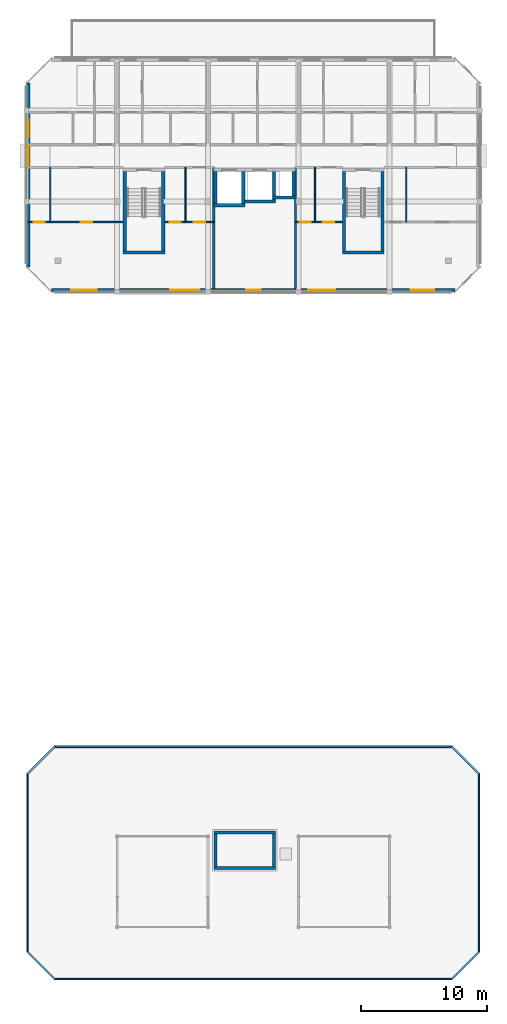
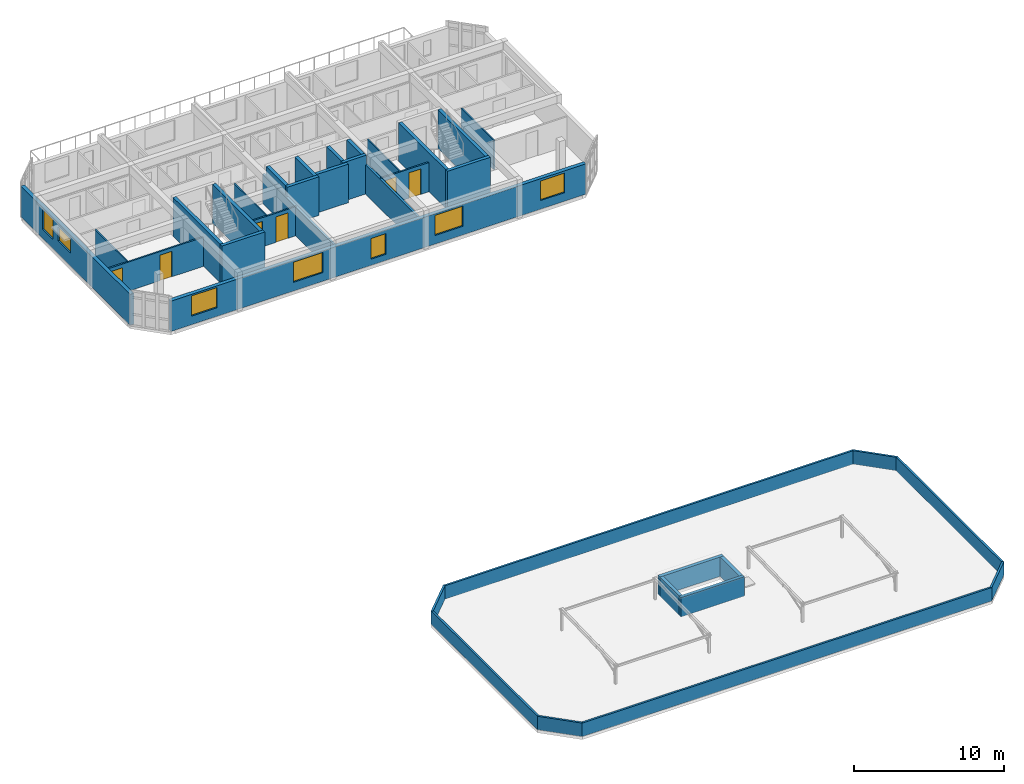
# One storey, part 10 of 16: 36 walls, 7 windows, 6 doors, 13 openings.
"""IFC4 building model written with IfcOpenShell, lengths in metres."""

from ifc_helpers import new_model, si_unit, direction, frame, frame_2d, origin, place, context, subcontext, project, spatial, rectangle, extrude, material, layer, layer_set, type_object, element, fill, save


model = new_model("IFC4")

# Units and contexts
model_context = context("Model", 3, precision=1e-05, world=origin(), true_north=direction((0.0, 1.0)))
body_context = subcontext(model_context, "Body", "Model", "MODEL_VIEW")
ifc_project = project(units=[si_unit("LENGTHUNIT", "METRE"), si_unit("AREAUNIT", "SQUARE_METRE"), si_unit("VOLUMEUNIT", "CUBIC_METRE"), si_unit("PLANEANGLEUNIT", "RADIAN"), si_unit("MASSUNIT", "GRAM", prefix="KILO")], contexts=[model_context])

# Site, building, storey
site_placement = place(None, origin())
site = spatial("IfcSite", under=ifc_project, at=site_placement, CompositionType="ELEMENT")
building_placement = place(site_placement, origin())
building = spatial("IfcBuilding", under=site, at=building_placement, Name="Ochrevale Crest", CompositionType="ELEMENT")
storey_placement = place(building_placement, frame((0.0, 0.0, 46.5)))
storey = spatial("IfcBuildingStorey", under=building, at=storey_placement, Name="L14", CompositionType="ELEMENT", Elevation=46.5)

# Walls
ifc_material_1 = material(Name="Precast concrete C50/60", Category="concrete")
ifc_layer_1 = layer(ifc_material_1, 0.2548828125)
ifc_layer_set_1 = layer_set([ifc_layer_1], Name="Precast concrete C50/60")
wall_type_1 = type_object("IfcWallType", Name="WL-CORE-255", PredefinedType="SHEAR", material=ifc_layer_set_1)
wall_1_placement = place(storey_placement, frame((137.2724609375, 75.14990234375, 0.0), z_axis=(0.0, 0.0, 1.0), x_axis=(1.0, 0.0, 0.0)))
element("IfcWall", 1, at=wall_1_placement, inside=storey, type_object=wall_type_1, Name="Block D L14 Stair 1 precast core shear wall S", PredefinedType="SHEAR", context=body_context, shape_type="SweptSolid", body=[
    extrude(rectangle(XDim=3.304931640625, YDim=0.2548828125, at=frame_2d((1.65234375, 0.0))), origin(), (0.0, 0.0, 1.0), 3.14990234375),
])
for number, where, z_axis, x_axis, name in (
    (2, (137.39990234375, 75.277587890625, 0.0), (0.0, 0.0, 1.0), (0.0, 1.0, 0.0), "Block D L14 Stair 1 precast core shear wall W"),
    (3, (140.449951171875, 75.277587890625, 0.0), (0.0, 0.0, 1.0), (0.0, 1.0, 0.0), "Block D L14 Stair 1 precast core shear wall E"),
):
    element("IfcWall", number, at=place(storey_placement, frame(where, z_axis=z_axis, x_axis=x_axis)), inside=storey, type_object=wall_type_1, Name=name, PredefinedType="SHEAR", context=body_context, shape_type="SweptSolid", body=[
        extrude(rectangle(XDim=6.294921875, YDim=0.2548828125, at=frame_2d((3.1474609375, 0.0))), origin(), (0.0, 0.0, 1.0), 3.14990234375),
    ])
wall_2_placement = place(storey_placement, frame((154.672607421875, 75.14990234375, 0.0), z_axis=(0.0, 0.0, 1.0), x_axis=(1.0, 0.0, 0.0)))
element("IfcWall", 4, at=wall_2_placement, inside=storey, type_object=wall_type_1, Name="Block D L14 Stair 2 precast core shear wall S", PredefinedType="SHEAR", context=body_context, shape_type="SweptSolid", body=[
    extrude(rectangle(XDim=3.304931640625, YDim=0.2548828125, at=frame_2d((1.65234375, 0.0))), origin(), (0.0, 0.0, 1.0), 3.14990234375),
])
for number, where, z_axis, x_axis, name in (
    (5, (154.800048828125, 75.277587890625, 0.0), (0.0, 0.0, 1.0), (0.0, 1.0, 0.0), "Block D L14 Stair 2 precast core shear wall W"),
    (6, (157.85009765625, 75.277587890625, 0.0), (0.0, 0.0, 1.0), (0.0, 1.0, 0.0), "Block D L14 Stair 2 precast core shear wall E"),
):
    element("IfcWall", number, at=place(storey_placement, frame(where, z_axis=z_axis, x_axis=x_axis)), inside=storey, type_object=wall_type_1, Name=name, PredefinedType="SHEAR", context=body_context, shape_type="SweptSolid", body=[
        extrude(rectangle(XDim=6.294921875, YDim=0.2548828125, at=frame_2d((3.1474609375, 0.0))), origin(), (0.0, 0.0, 1.0), 3.14990234375),
    ])
wall_3_placement = place(storey_placement, frame((144.472412109375, 78.89990234375, 0.0), z_axis=(0.0, 0.0, 1.0), x_axis=(1.0, 0.0, 0.0)))
element("IfcWall", 7, at=wall_3_placement, inside=storey, type_object=wall_type_1, Name="Block D L14 Lift 1 precast shaft shear wall S", PredefinedType="SHEAR", context=body_context, shape_type="SweptSolid", body=[
    extrude(rectangle(XDim=2.455078125, YDim=0.2548828125, at=frame_2d((1.2275390625, 0.0))), origin(), (0.0, 0.0, 1.0), 3.14990234375),
])
for number, where, z_axis, x_axis, name in (
    (8, (144.60009765625, 79.027587890625, 0.0), (0.0, 0.0, 1.0), (0.0, 1.0, 0.0), "Block D L14 Lift 1 precast shaft shear wall W"),
    (9, (146.800048828125, 79.027587890625, 0.0), (0.0, 0.0, 1.0), (0.0, 1.0, 0.0), "Block D L14 Lift 1 precast shaft shear wall E"),
):
    element("IfcWall", number, at=place(storey_placement, frame(where, z_axis=z_axis, x_axis=x_axis)), inside=storey, type_object=wall_type_1, Name=name, PredefinedType="SHEAR", context=body_context, shape_type="SweptSolid", body=[
        extrude(rectangle(XDim=2.544921875, YDim=0.2548828125, at=frame_2d((1.2724609375, 0.0))), origin(), (0.0, 0.0, 1.0), 3.14990234375),
    ])
wall_4_placement = place(storey_placement, frame((146.922607421875, 79.199951171875, 0.0), z_axis=(0.0, 0.0, 1.0), x_axis=(1.0, 0.0, 0.0)))
element("IfcWall", 10, at=wall_4_placement, inside=storey, type_object=wall_type_1, Name="Block D L14 Lift 2 precast shaft shear wall S", PredefinedType="SHEAR", context=body_context, shape_type="SweptSolid", body=[
    extrude(rectangle(XDim=2.454833984375, YDim=0.2548828125, at=frame_2d((1.2275390625, 0.0))), origin(), (0.0, 0.0, 1.0), 3.14990234375),
])
wall_5_placement = place(storey_placement, frame((149.25, 79.327392578125, 0.0), z_axis=(0.0, 0.0, 1.0), x_axis=(0.0, 1.0, 0.0)))
element("IfcWall", 11, at=wall_5_placement, inside=storey, type_object=wall_type_1, Name="Block D L14 Lift 2 precast shaft shear wall E", PredefinedType="SHEAR", context=body_context, shape_type="SweptSolid", body=[
    extrude(rectangle(XDim=2.2451171875, YDim=0.2548828125, at=frame_2d((1.12255859375, 0.0))), origin(), (0.0, 0.0, 1.0), 3.14990234375),
])
wall_6_placement = place(storey_placement, frame((149.12255859375, 79.5, 0.0), z_axis=(0.0, 0.0, 1.0), x_axis=(1.0, 0.0, 0.0)))
element("IfcWall", 12, at=wall_6_placement, inside=storey, type_object=wall_type_1, Name="Block D L14 services riser shaft core wall S", PredefinedType="SHEAR", context=body_context, shape_type="SweptSolid", body=[
    extrude(rectangle(XDim=1.804931640625, YDim=0.2548828125, at=frame_2d((0.90234375, 0.0))), origin(), (0.0, 0.0, 1.0), 3.14990234375),
])
wall_7_placement = place(storey_placement, frame((150.800048828125, 79.62744140625, 0.0), z_axis=(0.0, 0.0, 1.0), x_axis=(0.0, 1.0, 0.0)))
element("IfcWall", 13, at=wall_7_placement, inside=storey, type_object=wall_type_1, Name="Block D L14 services riser shaft core wall E", PredefinedType="SHEAR", context=body_context, shape_type="SweptSolid", body=[
    extrude(rectangle(XDim=1.945068359375, YDim=0.2548828125, at=frame_2d((0.97265625, 0.0))), origin(), (0.0, 0.0, 1.0), 3.14990234375),
])
ifc_layer_2 = layer(ifc_material_1, 0.2548828125)
ifc_layer_set_2 = layer_set([ifc_layer_2], Name="Precast concrete C50/60")
wall_type_2 = type_object("IfcWallType", Name="WL-CORE-EXT-255", PredefinedType="SHEAR", material=ifc_layer_set_2)
for number, where, z_axis, x_axis, name in (
    (14, (144.472412109375, 26.300048828125, 0.0), (0.0, 0.0, 1.0), (1.0, 0.0, 0.0), "Block C lift overrun enclosure wall S"),
    (15, (144.472412109375, 29.10009765625, 0.0), (0.0, 0.0, 1.0), (1.0, 0.0, 0.0), "Block C lift overrun enclosure wall N"),
):
    element("IfcWall", number, at=place(storey_placement, frame(where, z_axis=z_axis, x_axis=x_axis)), inside=storey, type_object=wall_type_2, Name=name, PredefinedType="SHEAR", context=body_context, shape_type="SweptSolid", body=[
        extrude(rectangle(XDim=4.905029296875, YDim=0.2548828125, at=frame_2d((2.45263671875, 0.0))), origin(), (0.0, 0.0, 1.0), 1.570068359375),
    ])
for number, where, z_axis, x_axis, name in (
    (16, (144.60009765625, 26.427490234375, 0.0), (0.0, 0.0, 1.0), (0.0, 1.0, 0.0), "Block C lift overrun enclosure wall W"),
    (17, (149.25, 26.427490234375, 0.0), (0.0, 0.0, 1.0), (0.0, 1.0, 0.0), "Block C lift overrun enclosure wall E"),
):
    element("IfcWall", number, at=place(storey_placement, frame(where, z_axis=z_axis, x_axis=x_axis)), inside=storey, type_object=wall_type_2, Name=name, PredefinedType="SHEAR", context=body_context, shape_type="SweptSolid", body=[
        extrude(rectangle(XDim=2.544921875, YDim=0.2548828125, at=frame_2d((1.2724609375, 0.0))), origin(), (0.0, 0.0, 1.0), 1.570068359375),
    ])

# Wall, openings, windows
ifc_material_2 = material(Name="Clay face brickwork", Category="masonry")
ifc_layer_3 = layer(ifc_material_2, 0.2900390625)
ifc_layer_set_3 = layer_set([ifc_layer_3], Name="Clay face brickwork")
wall_type_3 = type_object("IfcWallType", Name="WL-EXT-BRICK-290", PredefinedType="SOLIDWALL", material=ifc_layer_set_3)
wall_8_placement = place(storey_placement, frame((131.60009765625, 72.14501953125, 0.0), z_axis=(0.0, 0.0, 1.0), x_axis=(1.0, 0.0, 0.0)))
wall_8 = element("IfcWall", 18, at=wall_8_placement, inside=storey, type_object=wall_type_3, Name="Block D L14 external facade wall E1", PredefinedType="SOLIDWALL", context=body_context, shape_type="SweptSolid", body=[
    extrude(rectangle(XDim=32.0, YDim=0.2900390625, at=frame_2d((16.0, 0.0))), origin(), (0.0, 0.0, 1.0), 2.47998046875),
])
opening_1_placement = place(wall_8_placement, frame((15.425048828125, 0.0, 0.5)))
opening_1 = element("IfcOpeningElement", 19, at=opening_1_placement, cuts=wall_8, Name="Opening W32", PredefinedType="OPENING", context=body_context, shape_type="SweptSolid", body=[
    extrude(rectangle(XDim=1.14990234375, YDim=1.679931640625, at=frame_2d((0.574951171875, 0.83984375))), frame((0.0, 0.155029296875, 0.0), z_axis=(0.0, -1.0, 0.0), x_axis=(1.0, 0.0, 0.0)), (0.0, 0.0, 1.0), 0.31005859375),
])
opening_2_placement = place(wall_8_placement, frame((28.5048828125, 0.0, 0.699951171875)))
opening_2 = element("IfcOpeningElement", 20, at=opening_2_placement, cuts=wall_8, Name="Opening W11", PredefinedType="OPENING", context=body_context, shape_type="SweptSolid", body=[
    extrude(rectangle(XDim=1.860107421875, YDim=1.60009765625, at=frame_2d((0.93017578125, 0.800048828125))), frame((0.0, 0.155029296875, 0.0), z_axis=(0.0, -1.0, 0.0), x_axis=(1.0, 0.0, 0.0)), (0.0, 0.0, 1.0), 0.31005859375),
])
opening_3_placement = place(wall_8_placement, frame((1.56494140625, 0.0, 0.699951171875)))
opening_3 = element("IfcOpeningElement", 21, at=opening_3_placement, cuts=wall_8, Name="Opening W12", PredefinedType="OPENING", context=body_context, shape_type="SweptSolid", body=[
    extrude(rectangle(XDim=2.0, YDim=1.64990234375, at=frame_2d((1.0, 0.824951171875))), frame((0.0, 0.155029296875, 0.0), z_axis=(0.0, -1.0, 0.0), x_axis=(1.0, 0.0, 0.0)), (0.0, 0.0, 1.0), 0.31005859375),
])
opening_4_placement = place(wall_8_placement, frame((20.3701171875, 0.0, 0.699951171875)))
opening_4 = element("IfcOpeningElement", 22, at=opening_4_placement, cuts=wall_8, Name="Opening W13", PredefinedType="OPENING", context=body_context, shape_type="SweptSolid", body=[
    extrude(rectangle(XDim=2.14990234375, YDim=1.64990234375, at=frame_2d((1.074951171875, 0.824951171875))), frame((0.0, 0.155029296875, 0.0), z_axis=(0.0, -1.0, 0.0), x_axis=(1.0, 0.0, 0.0)), (0.0, 0.0, 1.0), 0.31005859375),
])
opening_5_placement = place(wall_8_placement, frame((9.429931640625, 0.0, 0.699951171875)))
opening_5 = element("IfcOpeningElement", 23, at=opening_5_placement, cuts=wall_8, Name="Opening W14", PredefinedType="OPENING", context=body_context, shape_type="SweptSolid", body=[
    extrude(rectangle(XDim=2.300048828125, YDim=1.64990234375, at=frame_2d((1.14990234375, 0.824951171875))), frame((0.0, 0.155029296875, 0.0), z_axis=(0.0, -1.0, 0.0), x_axis=(1.0, 0.0, 0.0)), (0.0, 0.0, 1.0), 0.31005859375),
])
ifc_material_3 = material(Name="Anodised aluminium 6063-T5 and low-E double glazing", Category="aluminium")
window_type_1 = type_object("IfcWindowType", Name="WIN-W11", PartitioningType="SINGLE_PANEL", PredefinedType="WINDOW", material=ifc_material_3)
window_1_placement = place(opening_2_placement, origin())
window_1 = element("IfcWindow", 24, at=window_1_placement, inside=storey, type_object=window_type_1, Name="Block D L14 Suite D-L14-CE Master Bedroom window", OverallHeight=1.60009765625, OverallWidth=1.860107421875, PartitioningType="SINGLE_PANEL", PredefinedType="WINDOW", context=body_context, shape_type="SweptSolid", body=[
    extrude(rectangle(XDim=1.860107421875, YDim=1.60009765625, at=frame_2d((0.93017578125, 0.800048828125))), frame((0.0, 0.030029296875, 0.0), z_axis=(0.0, -1.0, 0.0), x_axis=(1.0, 0.0, 0.0)), (0.0, 0.0, 1.0), 0.06005859375),
])
fill(opening_2, window_1)
window_type_2 = type_object("IfcWindowType", Name="WIN-W12", PartitioningType="SINGLE_PANEL", PredefinedType="WINDOW", material=ifc_material_3)
window_2_placement = place(opening_3_placement, origin())
window_2 = element("IfcWindow", 25, at=window_2_placement, inside=storey, type_object=window_type_2, Name="Block D L14 Suite D-L14-CW Garden Alcove Studio window", OverallHeight=1.64990234375, OverallWidth=2.0, PartitioningType="SINGLE_PANEL", PredefinedType="WINDOW", context=body_context, shape_type="SweptSolid", body=[
    extrude(rectangle(XDim=2.0, YDim=1.64990234375, at=frame_2d((1.0, 0.824951171875))), frame((0.0, 0.030029296875, 0.0), z_axis=(0.0, -1.0, 0.0), x_axis=(1.0, 0.0, 0.0)), (0.0, 0.0, 1.0), 0.06005859375),
])
fill(opening_3, window_2)
window_type_3 = type_object("IfcWindowType", Name="WIN-W13", PartitioningType="SINGLE_PANEL", PredefinedType="WINDOW", material=ifc_material_3)
window_3_placement = place(opening_4_placement, origin())
window_3 = element("IfcWindow", 26, at=window_3_placement, inside=storey, type_object=window_type_3, Name="Block D L14 Suite D-L14-ME Garden Alcove Studio window", OverallHeight=1.64990234375, OverallWidth=2.14990234375, PartitioningType="SINGLE_PANEL", PredefinedType="WINDOW", context=body_context, shape_type="SweptSolid", body=[
    extrude(rectangle(XDim=2.14990234375, YDim=1.64990234375, at=frame_2d((1.074951171875, 0.824951171875))), frame((0.0, 0.030029296875, 0.0), z_axis=(0.0, -1.0, 0.0), x_axis=(1.0, 0.0, 0.0)), (0.0, 0.0, 1.0), 0.06005859375),
])
fill(opening_4, window_3)
window_type_4 = type_object("IfcWindowType", Name="WIN-W14", PartitioningType="SINGLE_PANEL", PredefinedType="WINDOW", material=ifc_material_3)
window_4_placement = place(opening_5_placement, origin())
window_4 = element("IfcWindow", 27, at=window_4_placement, inside=storey, type_object=window_type_4, Name="Block D L14 Suite D-L14-MW Courtyard Studio Living window", OverallHeight=1.64990234375, OverallWidth=2.300048828125, PartitioningType="SINGLE_PANEL", PredefinedType="WINDOW", context=body_context, shape_type="SweptSolid", body=[
    extrude(rectangle(XDim=2.300048828125, YDim=1.64990234375, at=frame_2d((1.14990234375, 0.824951171875))), frame((0.0, 0.030029296875, 0.0), z_axis=(0.0, -1.0, 0.0), x_axis=(1.0, 0.0, 0.0)), (0.0, 0.0, 1.0), 0.06005859375),
])
fill(opening_5, window_4)
window_type_5 = type_object("IfcWindowType", Name="WIN-W32", PartitioningType="SINGLE_PANEL", PredefinedType="WINDOW", material=ifc_material_3)
window_5_placement = place(opening_1_placement, origin())
window_5 = element("IfcWindow", 28, at=window_5_placement, inside=storey, type_object=window_type_5, Name="Block D L14 core lancet window", OverallHeight=1.679931640625, OverallWidth=1.14990234375, PartitioningType="SINGLE_PANEL", PredefinedType="WINDOW", context=body_context, shape_type="SweptSolid", body=[
    extrude(rectangle(XDim=1.14990234375, YDim=1.679931640625, at=frame_2d((0.574951171875, 0.83984375))), frame((0.0, 0.030029296875, 0.0), z_axis=(0.0, -1.0, 0.0), x_axis=(1.0, 0.0, 0.0)), (0.0, 0.0, 1.0), 0.06005859375),
])
fill(opening_1, window_5)

wall_9_placement = place(storey_placement, frame((129.7451171875, 88.60009765625, 0.0), z_axis=(0.0, 0.0, 1.0), x_axis=(0.0, -1.0, 0.0)))
wall_9 = element("IfcWall", 29, at=wall_9_placement, inside=storey, type_object=wall_type_3, Name="Block D L14 external facade wall E7", PredefinedType="SOLIDWALL", context=body_context, shape_type="SweptSolid", body=[
    extrude(rectangle(XDim=14.60009765625, YDim=0.2900390625, at=frame_2d((7.300048828125, 0.0))), origin(), (0.0, 0.0, 1.0), 2.510009765625),
])
opening_6_placement = place(wall_9_placement, frame((4.97509765625, 0.0, 1.050048828125)))
opening_6 = element("IfcOpeningElement", 30, at=opening_6_placement, cuts=wall_9, Name="Opening W19", PredefinedType="OPENING", context=body_context, shape_type="SweptSolid", body=[
    extrude(rectangle(XDim=1.64990234375, YDim=1.14990234375, at=frame_2d((0.824951171875, 0.574951171875))), frame((0.0, 0.155029296875, 0.0), z_axis=(0.0, -1.0, 0.0), x_axis=(1.0, 0.0, 0.0)), (0.0, 0.0, 1.0), 0.31005859375),
])
opening_7_placement = place(wall_9_placement, frame((2.905029296875, 0.0, 0.75)))
opening_7 = element("IfcOpeningElement", 31, at=opening_7_placement, cuts=wall_9, Name="Opening W31", PredefinedType="OPENING", context=body_context, shape_type="SweptSolid", body=[
    extrude(rectangle(XDim=1.419921875, YDim=1.60009765625, at=frame_2d((0.7099609375, 0.800048828125))), frame((0.0, 0.155029296875, 0.0), z_axis=(0.0, -1.0, 0.0), x_axis=(1.0, 0.0, 0.0)), (0.0, 0.0, 1.0), 0.31005859375),
])
window_type_6 = type_object("IfcWindowType", Name="WIN-W19", PartitioningType="SINGLE_PANEL", PredefinedType="WINDOW", material=ifc_material_3)
window_6_placement = place(opening_6_placement, origin())
window_6 = element("IfcWindow", 32, at=window_6_placement, inside=storey, type_object=window_type_6, Name="Block D L14 corridor end daylight window W", OverallHeight=1.14990234375, OverallWidth=1.64990234375, PartitioningType="SINGLE_PANEL", PredefinedType="WINDOW", context=body_context, shape_type="SweptSolid", body=[
    extrude(rectangle(XDim=1.64990234375, YDim=1.14990234375, at=frame_2d((0.824951171875, 0.574951171875))), frame((0.0, 0.030029296875, 0.0), z_axis=(0.0, -1.0, 0.0), x_axis=(1.0, 0.0, 0.0)), (0.0, 0.0, 1.0), 0.06005859375),
])
fill(opening_6, window_6)
window_type_7 = type_object("IfcWindowType", Name="WIN-W31", PartitioningType="SINGLE_PANEL", PredefinedType="WINDOW", material=ifc_material_3)
window_7_placement = place(opening_7_placement, origin())
window_7 = element("IfcWindow", 33, at=window_7_placement, inside=storey, type_object=window_type_7, Name="Block D L14 side suite window W", OverallHeight=1.60009765625, OverallWidth=1.419921875, PartitioningType="SINGLE_PANEL", PredefinedType="WINDOW", context=body_context, shape_type="SweptSolid", body=[
    extrude(rectangle(XDim=1.419921875, YDim=1.60009765625, at=frame_2d((0.7099609375, 0.800048828125))), frame((0.0, 0.030029296875, 0.0), z_axis=(0.0, -1.0, 0.0), x_axis=(1.0, 0.0, 0.0)), (0.0, 0.0, 1.0), 0.06005859375),
])
fill(opening_7, window_7)

# Walls
ifc_material_4 = material(Name="Precast concrete C40/50", Category="concrete")
ifc_layer_4 = layer(ifc_material_4, 0.14990234375)
ifc_layer_set_4 = layer_set([ifc_layer_4], Name="Precast concrete C40/50")
wall_type_4 = type_object("IfcWallType", Name="WL-PARAPET-150", PredefinedType="PARAPET", material=ifc_layer_set_4)
wall_10_placement = place(storey_placement, frame((131.800048828125, 17.47998046875, 0.0), z_axis=(0.0, 0.0, 1.0), x_axis=(1.0, 0.0, 0.0)))
element("IfcWall", 34, at=wall_10_placement, inside=storey, type_object=wall_type_4, Name="Block C rooftop perimeter parapet wall 1", PredefinedType="PARAPET", context=body_context, shape_type="SweptSolid", body=[
    extrude(rectangle(XDim=31.599853515625, YDim=0.14990234375, at=frame_2d((15.7998046875, 0.0))), origin(), (0.0, 0.0, 1.0), 1.10009765625),
])
wall_11_placement = place(storey_placement, frame((163.343505859375, 17.45654296875, 0.0), z_axis=(0.0, 0.0, 1.0), x_axis=(0.707106781187, 0.707106781187, 0.0)))
element("IfcWall", 35, at=wall_11_placement, inside=storey, type_object=wall_type_4, Name="Block C rooftop perimeter parapet wall 2", PredefinedType="PARAPET", context=body_context, shape_type="SweptSolid", body=[
    extrude(rectangle(XDim=3.111083984375, YDim=0.14990234375, at=frame_2d((1.5556640625, 0.0))), origin(), (0.0, 0.0, 1.0), 1.10009765625),
])
wall_12_placement = place(storey_placement, frame((165.52001953125, 19.60009765625, 0.0), z_axis=(0.0, 0.0, 1.0), x_axis=(0.0, 1.0, 0.0)))
element("IfcWall", 36, at=wall_12_placement, inside=storey, type_object=wall_type_4, Name="Block C rooftop perimeter parapet wall 3", PredefinedType="PARAPET", context=body_context, shape_type="SweptSolid", body=[
    extrude(rectangle(XDim=14.199951171875, YDim=0.14990234375, at=frame_2d((7.10009765625, 0.0))), origin(), (0.0, 0.0, 1.0), 1.10009765625),
])
wall_13_placement = place(storey_placement, frame((165.54345703125, 33.743408203125, 0.0), z_axis=(0.0, 0.0, 1.0), x_axis=(-0.707106781187, 0.707106781187, 0.0)))
element("IfcWall", 37, at=wall_13_placement, inside=storey, type_object=wall_type_4, Name="Block C rooftop perimeter parapet wall 4", PredefinedType="PARAPET", context=body_context, shape_type="SweptSolid", body=[
    extrude(rectangle(XDim=3.111083984375, YDim=0.14990234375, at=frame_2d((1.5556640625, 0.0))), origin(), (0.0, 0.0, 1.0), 1.10009765625),
])
wall_14_placement = place(storey_placement, frame((163.39990234375, 35.919921875, 0.0), z_axis=(0.0, 0.0, 1.0), x_axis=(-1.0, 0.0, 0.0)))
element("IfcWall", 38, at=wall_14_placement, inside=storey, type_object=wall_type_4, Name="Block C rooftop perimeter parapet wall 5", PredefinedType="PARAPET", context=body_context, shape_type="SweptSolid", body=[
    extrude(rectangle(XDim=31.599853515625, YDim=0.14990234375, at=frame_2d((15.7998046875, 0.0))), origin(), (0.0, 0.0, 1.0), 1.10009765625),
])
wall_15_placement = place(storey_placement, frame((131.856689453125, 35.943359375, 0.0), z_axis=(0.0, 0.0, 1.0), x_axis=(-0.707146013676, -0.70706754652, 0.0)))
element("IfcWall", 39, at=wall_15_placement, inside=storey, type_object=wall_type_4, Name="Block C rooftop perimeter parapet wall 6", PredefinedType="PARAPET", context=body_context, shape_type="SweptSolid", body=[
    extrude(rectangle(XDim=3.111328125, YDim=0.14990234375, at=frame_2d((1.5556640625, 0.0))), origin(), (0.0, 0.0, 1.0), 1.10009765625),
])
wall_16_placement = place(storey_placement, frame((129.679931640625, 33.800048828125, 0.0), z_axis=(0.0, 0.0, 1.0), x_axis=(0.0, -1.0, 0.0)))
element("IfcWall", 40, at=wall_16_placement, inside=storey, type_object=wall_type_4, Name="Block C rooftop perimeter parapet wall 7", PredefinedType="PARAPET", context=body_context, shape_type="SweptSolid", body=[
    extrude(rectangle(XDim=14.199951171875, YDim=0.14990234375, at=frame_2d((7.10009765625, 0.0))), origin(), (0.0, 0.0, 1.0), 1.10009765625),
])
wall_17_placement = place(storey_placement, frame((129.656494140625, 19.656494140625, 0.0), z_axis=(0.0, 0.0, 1.0), x_axis=(0.707146013676, -0.70706754652, 0.0)))
element("IfcWall", 41, at=wall_17_placement, inside=storey, type_object=wall_type_4, Name="Block C rooftop perimeter parapet wall 8", PredefinedType="PARAPET", context=body_context, shape_type="SweptSolid", body=[
    extrude(rectangle(XDim=3.111328125, YDim=0.14990234375, at=frame_2d((1.5556640625, 0.0))), origin(), (0.0, 0.0, 1.0), 1.10009765625),
])

# Wall, openings, doors
ifc_material_5 = material(Name="Gypsum plasterboard", Category="gypsum")
ifc_layer_5 = layer(ifc_material_5, 0.1201171875)
ifc_layer_set_5 = layer_set([ifc_layer_5], Name="Gypsum plasterboard")
wall_type_5 = type_object("IfcWallType", Name="WL-PART-120", PredefinedType="PARTITIONING", material=ifc_layer_set_5)
wall_18_placement = place(storey_placement, frame((129.739990234375, 77.550048828125, 0.0), z_axis=(0.0, 0.0, 1.0), x_axis=(1.0, 0.0, 0.0)))
wall_18 = element("IfcWall", 42, at=wall_18_placement, inside=storey, type_object=wall_type_5, Name="Suite D-L14-CW internal wall", PredefinedType="PARTITIONING", context=body_context, shape_type="SweptSolid", body=[
    extrude(rectangle(XDim=7.52001953125, YDim=0.1201171875, at=frame_2d((3.760009765625, 0.0))), origin(), (0.0, 0.0, 1.0), 2.3798828125),
])
opening_8_placement = place(wall_18_placement, frame((1.300048828125, 0.0, 0.0), z_axis=(0.0, 0.0, 1.0), x_axis=(-1.0, 0.0, 0.0)))
opening_8 = element("IfcOpeningElement", 43, at=opening_8_placement, cuts=wall_18, Name="Opening ID01", PredefinedType="OPENING", context=body_context, shape_type="SweptSolid", body=[
    extrude(rectangle(XDim=0.85009765625, YDim=2.080078125, at=frame_2d((0.425048828125, 1.0400390625))), frame((0.0, 0.070068359375, 0.0), z_axis=(0.0, -1.0, 0.0), x_axis=(1.0, 0.0, 0.0)), (0.0, 0.0, 1.0), 0.14013671875),
])
opening_9_placement = place(wall_18_placement, frame((4.175048828125, 0.0, 0.0)))
opening_9 = element("IfcOpeningElement", 44, at=opening_9_placement, cuts=wall_18, Name="Opening ID04", PredefinedType="OPENING", context=body_context, shape_type="SweptSolid", body=[
    extrude(rectangle(XDim=0.919921875, YDim=2.080078125, at=frame_2d((0.4599609375, 1.0400390625))), frame((0.0, 0.070068359375, 0.0), z_axis=(0.0, -1.0, 0.0), x_axis=(1.0, 0.0, 0.0)), (0.0, 0.0, 1.0), 0.14013671875),
])
ifc_material_6 = material(Name="Solid-core FSC hardwood", Category="wood")
door_type_1 = type_object("IfcDoorType", Name="DR-INT-920", OperationType="NOTDEFINED", PredefinedType="DOOR", material=ifc_material_6)
door_1_placement = place(opening_9_placement, origin())
door_1 = element("IfcDoor", 45, at=door_1_placement, inside=storey, type_object=door_type_1, Name="Suite D-L14-CW Garden Alcove Studio door", OperationType="SINGLE_SWING_LEFT", OverallHeight=2.080078125, OverallWidth=0.919921875, PredefinedType="DOOR", context=body_context, shape_type="SweptSolid", body=[
    extrude(rectangle(XDim=0.919921875, YDim=2.080078125, at=frame_2d((0.4599609375, 1.0400390625))), frame((0.0, 0.02490234375, 0.0), z_axis=(0.0, -1.0, 0.0), x_axis=(1.0, 0.0, 0.0)), (0.0, 0.0, 1.0), 0.050048828125),
])
fill(opening_9, door_1)
door_type_2 = type_object("IfcDoorType", Name="DR-WC-850", OperationType="NOTDEFINED", PredefinedType="DOOR", material=ifc_material_6)
door_2_placement = place(opening_8_placement, origin())
door_2 = element("IfcDoor", 46, at=door_2_placement, inside=storey, type_object=door_type_2, Name="Suite D-L14-CW Bathroom door", OperationType="SINGLE_SWING_RIGHT", OverallHeight=2.080078125, OverallWidth=0.85009765625, PredefinedType="DOOR", context=body_context, shape_type="SweptSolid", body=[
    extrude(rectangle(XDim=0.85009765625, YDim=2.080078125, at=frame_2d((0.425048828125, 1.0400390625))), frame((0.0, 0.02490234375, 0.0), z_axis=(0.0, -1.0, 0.0), x_axis=(1.0, 0.0, 0.0)), (0.0, 0.0, 1.0), 0.050048828125),
])
fill(opening_8, door_2)

wall_19_placement = place(storey_placement, frame((140.590087890625, 77.550048828125, 0.0), z_axis=(0.0, 0.0, 1.0), x_axis=(1.0, 0.0, 0.0)))
wall_19 = element("IfcWall", 47, at=wall_19_placement, inside=storey, type_object=wall_type_5, Name="Suite D-L14-MW internal wall", PredefinedType="PARTITIONING", context=body_context, shape_type="SweptSolid", body=[
    extrude(rectangle(XDim=3.869873046875, YDim=0.1201171875, at=frame_2d((1.93505859375, 0.0))), origin(), (0.0, 0.0, 1.0), 2.3798828125),
])
opening_10_placement = place(wall_19_placement, frame((0.3876953125, 0.0, 0.0)))
opening_10 = element("IfcOpeningElement", 48, at=opening_10_placement, cuts=wall_19, Name="Opening ID01", PredefinedType="OPENING", context=body_context, shape_type="SweptSolid", body=[
    extrude(rectangle(XDim=0.85009765625, YDim=2.080078125, at=frame_2d((0.425048828125, 1.0400390625))), frame((0.0, 0.070068359375, 0.0), z_axis=(0.0, -1.0, 0.0), x_axis=(1.0, 0.0, 0.0)), (0.0, 0.0, 1.0), 0.14013671875),
])
opening_11_placement = place(wall_19_placement, frame((3.20751953125, 0.0, 0.0), z_axis=(0.0, 0.0, 1.0), x_axis=(-1.0, 0.0, 0.0)))
opening_11 = element("IfcOpeningElement", 49, at=opening_11_placement, cuts=wall_19, Name="Opening ID04", PredefinedType="OPENING", context=body_context, shape_type="SweptSolid", body=[
    extrude(rectangle(XDim=0.919921875, YDim=2.080078125, at=frame_2d((0.4599609375, 1.0400390625))), frame((0.0, 0.070068359375, 0.0), z_axis=(0.0, -1.0, 0.0), x_axis=(1.0, 0.0, 0.0)), (0.0, 0.0, 1.0), 0.14013671875),
])
door_3_placement = place(opening_11_placement, origin())
door_3 = element("IfcDoor", 50, at=door_3_placement, inside=storey, type_object=door_type_1, Name="Suite D-L14-MW Courtyard Studio Living door", OperationType="SINGLE_SWING_RIGHT", OverallHeight=2.080078125, OverallWidth=0.919921875, PredefinedType="DOOR", context=body_context, shape_type="SweptSolid", body=[
    extrude(rectangle(XDim=0.919921875, YDim=2.080078125, at=frame_2d((0.4599609375, 1.0400390625))), frame((0.0, 0.02490234375, 0.0), z_axis=(0.0, -1.0, 0.0), x_axis=(1.0, 0.0, 0.0)), (0.0, 0.0, 1.0), 0.050048828125),
])
fill(opening_11, door_3)
door_4_placement = place(opening_10_placement, origin())
door_4 = element("IfcDoor", 51, at=door_4_placement, inside=storey, type_object=door_type_2, Name="Suite D-L14-MW Bathroom door", OperationType="SINGLE_SWING_LEFT", OverallHeight=2.080078125, OverallWidth=0.85009765625, PredefinedType="DOOR", context=body_context, shape_type="SweptSolid", body=[
    extrude(rectangle(XDim=0.85009765625, YDim=2.080078125, at=frame_2d((0.425048828125, 1.0400390625))), frame((0.0, 0.02490234375, 0.0), z_axis=(0.0, -1.0, 0.0), x_axis=(1.0, 0.0, 0.0)), (0.0, 0.0, 1.0), 0.050048828125),
])
fill(opening_10, door_4)

wall_20_placement = place(storey_placement, frame((150.93994140625, 77.550048828125, 0.0), z_axis=(0.0, 0.0, 1.0), x_axis=(1.0, 0.0, 0.0)))
wall_20 = element("IfcWall", 52, at=wall_20_placement, inside=storey, type_object=wall_type_5, Name="Suite D-L14-ME internal wall", PredefinedType="PARTITIONING", context=body_context, shape_type="SweptSolid", body=[
    extrude(rectangle(XDim=3.719970703125, YDim=0.1201171875, at=frame_2d((1.85986328125, 0.0))), origin(), (0.0, 0.0, 1.0), 2.3798828125),
])
opening_12_placement = place(wall_20_placement, frame((1.206298828125, 0.0, 0.0), z_axis=(0.0, 0.0, 1.0), x_axis=(-1.0, 0.0, 0.0)))
opening_12 = element("IfcOpeningElement", 53, at=opening_12_placement, cuts=wall_20, Name="Opening ID01", PredefinedType="OPENING", context=body_context, shape_type="SweptSolid", body=[
    extrude(rectangle(XDim=0.85009765625, YDim=2.080078125, at=frame_2d((0.425048828125, 1.0400390625))), frame((0.0, 0.070068359375, 0.0), z_axis=(0.0, -1.0, 0.0), x_axis=(1.0, 0.0, 0.0)), (0.0, 0.0, 1.0), 0.14013671875),
])
opening_13_placement = place(wall_20_placement, frame((2.18115234375, 0.0, 0.0)))
opening_13 = element("IfcOpeningElement", 54, at=opening_13_placement, cuts=wall_20, Name="Opening ID04", PredefinedType="OPENING", context=body_context, shape_type="SweptSolid", body=[
    extrude(rectangle(XDim=0.919921875, YDim=2.080078125, at=frame_2d((0.4599609375, 1.0400390625))), frame((0.0, 0.070068359375, 0.0), z_axis=(0.0, -1.0, 0.0), x_axis=(1.0, 0.0, 0.0)), (0.0, 0.0, 1.0), 0.14013671875),
])
door_5_placement = place(opening_13_placement, origin())
door_5 = element("IfcDoor", 55, at=door_5_placement, inside=storey, type_object=door_type_1, Name="Suite D-L14-ME Garden Alcove Studio door", OperationType="SINGLE_SWING_LEFT", OverallHeight=2.080078125, OverallWidth=0.919921875, PredefinedType="DOOR", context=body_context, shape_type="SweptSolid", body=[
    extrude(rectangle(XDim=0.919921875, YDim=2.080078125, at=frame_2d((0.4599609375, 1.0400390625))), frame((0.0, 0.02490234375, 0.0), z_axis=(0.0, -1.0, 0.0), x_axis=(1.0, 0.0, 0.0)), (0.0, 0.0, 1.0), 0.050048828125),
])
fill(opening_13, door_5)
door_6_placement = place(opening_12_placement, origin())
door_6 = element("IfcDoor", 56, at=door_6_placement, inside=storey, type_object=door_type_2, Name="Suite D-L14-ME Bathroom door", OperationType="SINGLE_SWING_RIGHT", OverallHeight=2.080078125, OverallWidth=0.85009765625, PredefinedType="DOOR", context=body_context, shape_type="SweptSolid", body=[
    extrude(rectangle(XDim=0.85009765625, YDim=2.080078125, at=frame_2d((0.425048828125, 1.0400390625))), frame((0.0, 0.02490234375, 0.0), z_axis=(0.0, -1.0, 0.0), x_axis=(1.0, 0.0, 0.0)), (0.0, 0.0, 1.0), 0.050048828125),
])
fill(opening_12, door_6)

# Walls
ifc_layer_6 = layer(ifc_material_5, 0.169921875)
ifc_layer_set_6 = layer_set([ifc_layer_6], Name="Gypsum plasterboard")
wall_type_6 = type_object("IfcWallType", Name="WL-TEN-170", PredefinedType="PARTITIONING", material=ifc_layer_set_6)
for number, where, z_axis, x_axis, name in (
    (57, (144.4599609375, 72.300048828125, 0.0), (0.0, 0.0, 1.0), (0.0, 1.0, 0.0), "Suite D-L14-MW east party wall"),
    (58, (150.93994140625, 72.300048828125, 0.0), (0.0, 0.0, 1.0), (0.0, 1.0, 0.0), "Suite D-L14-ME west party wall"),
):
    element("IfcWall", number, at=place(storey_placement, frame(where, z_axis=z_axis, x_axis=x_axis)), inside=storey, type_object=wall_type_6, Name=name, PredefinedType="PARTITIONING", context=body_context, shape_type="SweptSolid", body=[
        extrude(rectangle(XDim=9.599853515625, YDim=0.169921875, at=frame_2d((4.7998046875, 0.0))), origin(), (0.0, 0.0, 1.0), 2.3798828125),
    ])
ifc_layer_7 = layer(ifc_material_5, 0.10009765625)
ifc_layer_set_7 = layer_set([ifc_layer_7], Name="Gypsum plasterboard")
wall_type_7 = type_object("IfcWallType", Name="WL-WET-100", PredefinedType="PARTITIONING", material=ifc_layer_set_7)
for number, where, z_axis, x_axis, name in (
    (59, (131.489990234375, 77.550048828125, 0.0), (0.0, 0.0, 1.0), (0.0, 1.0, 0.0), "Suite D-L14-CW bathroom divider"),
    (60, (142.21533203125, 77.550048828125, 0.0), (0.0, 0.0, 1.0), (0.0, 1.0, 0.0), "Suite D-L14-MW bathroom divider"),
    (61, (152.50244140625, 77.550048828125, 0.0), (0.0, 0.0, 1.0), (0.0, 1.0, 0.0), "Suite D-L14-ME bathroom divider"),
    (62, (159.739990234375, 77.550048828125, 0.0), (0.0, 0.0, 1.0), (0.0, 1.0, 0.0), "Suite D-L14-CE bathroom divider"),
):
    element("IfcWall", number, at=place(storey_placement, frame(where, z_axis=z_axis, x_axis=x_axis)), inside=storey, type_object=wall_type_7, Name=name, PredefinedType="PARTITIONING", context=body_context, shape_type="SweptSolid", body=[
        extrude(rectangle(XDim=4.349853515625, YDim=0.10009765625, at=frame_2d((2.1748046875, 0.0))), origin(), (0.0, 0.0, 1.0), 2.3798828125),
    ])

save(model, "model.ifc")
